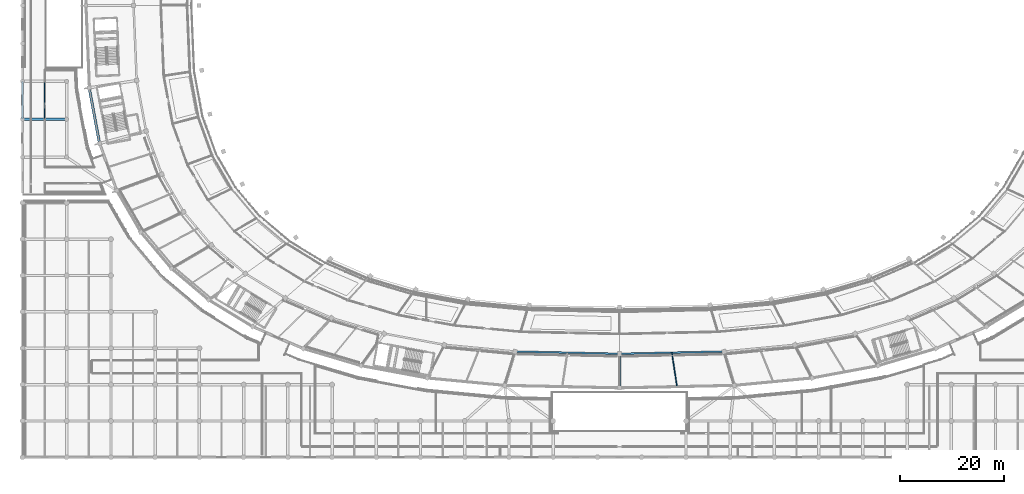
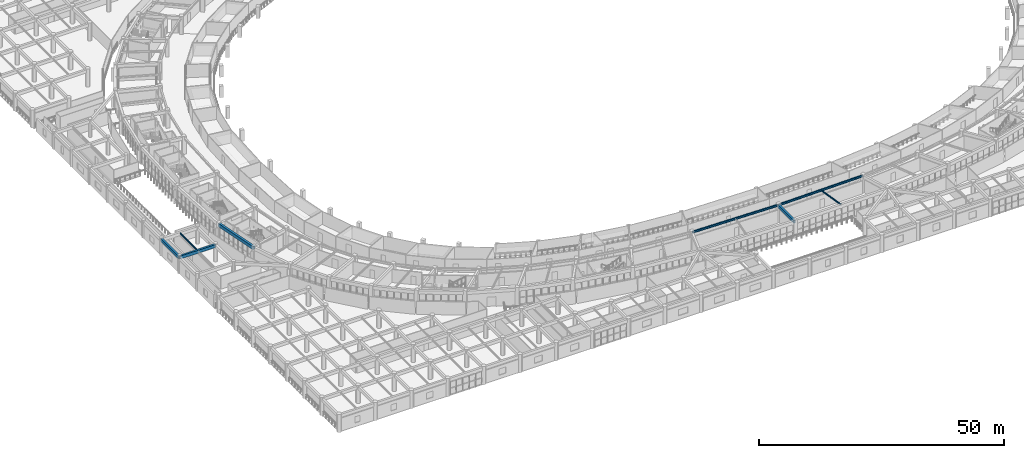
# One storey, part 26 of 141: 8 beams.
"""IFC4 building model written with IfcOpenShell, lengths in metres."""

from ifc_helpers import new_model, si_unit, direction, frame, origin, origin_2d, place, context, subcontext, project, spatial, rectangle, i_section, extrude, material, material_profile, profile_set, type_object, element, save


model = new_model("IFC4")

# Units and contexts
model_context = context("Model", 3, precision=1e-05, world=origin(), true_north=direction((0.0, 1.0)))
body_context = subcontext(model_context, "Body", "Model", "MODEL_VIEW")
ifc_project = project(units=[si_unit("LENGTHUNIT", "METRE"), si_unit("AREAUNIT", "SQUARE_METRE"), si_unit("VOLUMEUNIT", "CUBIC_METRE"), si_unit("PLANEANGLEUNIT", "RADIAN"), si_unit("MASSUNIT", "GRAM", prefix="KILO")], contexts=[model_context])

# Site, building, storey
site_placement = place(None, origin())
site = spatial("IfcSite", under=ifc_project, at=site_placement, CompositionType="ELEMENT")
building_placement = place(site_placement, origin())
building = spatial("IfcBuilding", under=site, at=building_placement, Name="Mphavela Belvedere Stadium", CompositionType="ELEMENT")
storey_placement = place(building_placement, frame((0.0, 0.0, 14.699951171875)))
storey = spatial("IfcBuildingStorey", under=building, at=storey_placement, Name="L03", CompositionType="ELEMENT", Elevation=14.699951171875)

# Beams
ifc_material_1 = material(Name="Steel S355", Category="steel")
ifc_material_profile_1 = material_profile(ifc_material_1, i_section(OverallWidth=0.169921875, OverallDepth=0.360107421875, WebThickness=0.008056640625, FlangeThickness=0.0126953125, at=origin_2d()), Name="IPE 360")
ifc_profile_set_1 = profile_set([ifc_material_profile_1], Name="Steel S355")
beam_type_1 = type_object("IfcBeamType", Name="BM-JOIST-IPE360", PredefinedType="JOIST", material=ifc_profile_set_1)
beam_1_placement = place(storey_placement, frame((125.06640625, 20.1494140625, 4.070068359375), z_axis=(0.14889470473, -0.988853056274, 0.0), x_axis=(0.988853056274, 0.14889470473, 0.0)))
element("IfcBeam", 1, at=beam_1_placement, inside=storey, type_object=beam_type_1, Name="Concourse floor joist L03-37", PredefinedType="JOIST", context=body_context, shape_type="SweptSolid", body=[
    extrude(i_section(OverallWidth=0.169921875, OverallDepth=0.360107421875, WebThickness=0.008056640625, FlangeThickness=0.0126953125, at=origin_2d()), origin(), (0.0, 0.0, 1.0), 6.655517578125),
])
beam_2_placement = place(storey_placement, frame((4.25, 65.324951171875, 4.06005859375), z_axis=(0.0, 1.0, 0.0), x_axis=(-1.0, 0.0, 0.0)))
element("IfcBeam", 2, at=beam_2_placement, inside=storey, type_object=beam_type_1, Name="West Planted Eaves Peristyle Colonnade secondary joist L03 1-3", PredefinedType="JOIST", context=body_context, shape_type="SweptSolid", body=[
    extrude(i_section(OverallWidth=0.169921875, OverallDepth=0.360107421875, WebThickness=0.008056640625, FlangeThickness=0.0126953125, at=origin_2d()), origin(), (0.0, 0.0, 1.0), 6.85009765625),
])
ifc_material_2 = material(Name="Concrete C40/50", Category="concrete")
ifc_material_profile_2 = material_profile(ifc_material_2, rectangle(XDim=0.449951171875, YDim=0.75, at=origin_2d()), Name="RC 450x750")
ifc_profile_set_2 = profile_set([ifc_material_profile_2], Name="Concrete C40/50")
beam_type_2 = type_object("IfcBeamType", Name="BM-RC450x750", PredefinedType="BEAM", material=ifc_profile_set_2)
beam_3_placement = place(storey_placement, frame((115.0, 19.9326171875, 3.875), z_axis=(0.0, -1.0, 0.0), x_axis=(1.0, 0.0, 0.0)))
element("IfcBeam", 3, at=beam_3_placement, inside=storey, type_object=beam_type_2, Name="Radial concourse girder L03 R3R4-37", PredefinedType="BEAM", context=body_context, shape_type="SweptSolid", body=[
    extrude(rectangle(XDim=0.449951171875, YDim=0.75, at=origin_2d()), origin(), (0.0, 0.0, 1.0), 6.6025390625),
])
beam_4_placement = place(storey_placement, frame((0.0, 65.10009765625, 3.864990234375), z_axis=(1.0, 0.0, 0.0), x_axis=(0.0, 1.0, 0.0)))
element("IfcBeam", 4, at=beam_4_placement, inside=storey, type_object=beam_type_2, Name="West Planted Eaves Peristyle Colonnade entablature beam X L03 1-3", PredefinedType="BEAM", context=body_context, shape_type="SweptSolid", body=[
    extrude(rectangle(XDim=0.449951171875, YDim=0.75, at=origin_2d()), origin(), (0.0, 0.0, 1.0), 8.5),
])
beam_5_placement = place(storey_placement, frame((0.0, 65.10009765625, 3.864990234375), z_axis=(0.0, 1.0, 0.0), x_axis=(-1.0, 0.0, 0.0)))
element("IfcBeam", 5, at=beam_5_placement, inside=storey, type_object=beam_type_2, Name="West Planted Eaves Peristyle Colonnade entablature beam Y L03 1-3", PredefinedType="BEAM", context=body_context, shape_type="SweptSolid", body=[
    extrude(rectangle(XDim=0.449951171875, YDim=0.75, at=origin_2d()), origin(), (0.0, 0.0, 1.0), 7.2998046875),
])
ifc_material_3 = material(Name="Concrete C40/50", Category="concrete")
ifc_material_profile_3 = material_profile(ifc_material_3, rectangle(XDim=0.5, YDim=0.800048828125, at=origin_2d()), Name="RC 500x800")
ifc_profile_set_3 = profile_set([ifc_material_profile_3], Name="Concrete C40/50")
beam_type_3 = type_object("IfcBeamType", Name="BM-SPANDREL-800", PredefinedType="SPANDREL", material=ifc_profile_set_3)
beam_6_placement = place(storey_placement, frame((12.844482421875, 71.155029296875, 3.85009765625), z_axis=(0.18264260648, -0.983179372393, 0.0), x_axis=(0.983179372393, 0.18264260648, 0.0)))
element("IfcBeam", 6, at=beam_6_placement, inside=storey, type_object=beam_type_3, Name="Circumferential girder L03 R4-26", PredefinedType="SPANDREL", context=body_context, shape_type="SweptSolid", body=[
    extrude(rectangle(XDim=0.5, YDim=0.800048828125, at=origin_2d()), origin(), (0.0, 0.0, 1.0), 10.90087890625),
])
ifc_material_4 = material(Name="Steel S355", Category="steel")
ifc_material_profile_4 = material_profile(ifc_material_4, i_section(OverallWidth=0.300048828125, OverallDepth=0.489990234375, WebThickness=0.011962890625, FlangeThickness=0.02294921875, at=origin_2d()), Name="HEA 500")
ifc_profile_set_4 = profile_set([ifc_material_profile_4], Name="Steel S355")
beam_type_4 = type_object("IfcBeamType", Name="BM-STEEL-HEA500", PredefinedType="BEAM", material=ifc_profile_set_4)
for number, where, z_axis, x_axis, name in (
    (7, (94.8671875, 20.365966796875, 4.005126953125), (0.999768427465, -0.02151955955, 0.0), (0.02151955955, 0.999768427465, 0.0), "Circumferential girder L03 R3-36"),
    (8, (115.0, 19.9326171875, 4.005126953125), (0.999768427465, 0.02151955955, 0.0), (-0.02151955955, 0.999768427465, 0.0), "Circumferential girder L03 R3-37"),
):
    element("IfcBeam", number, at=place(storey_placement, frame(where, z_axis=z_axis, x_axis=x_axis)), inside=storey, type_object=beam_type_4, Name=name, PredefinedType="BEAM", context=body_context, shape_type="SweptSolid", body=[
        extrude(i_section(OverallWidth=0.300048828125, OverallDepth=0.489990234375, WebThickness=0.011962890625, FlangeThickness=0.02294921875, at=origin_2d()), origin(), (0.0, 0.0, 1.0), 20.137451171875),
    ])

save(model, "model.ifc")
